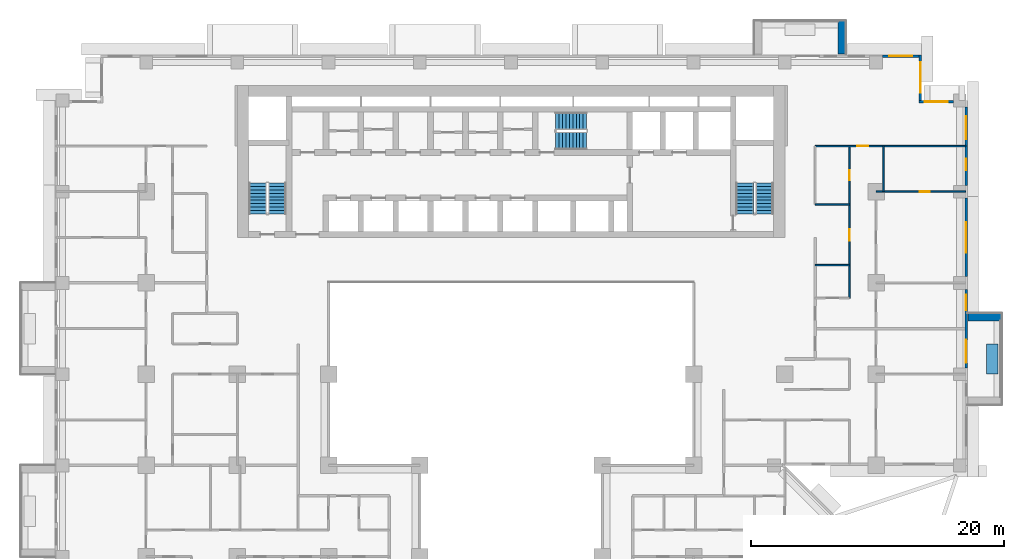
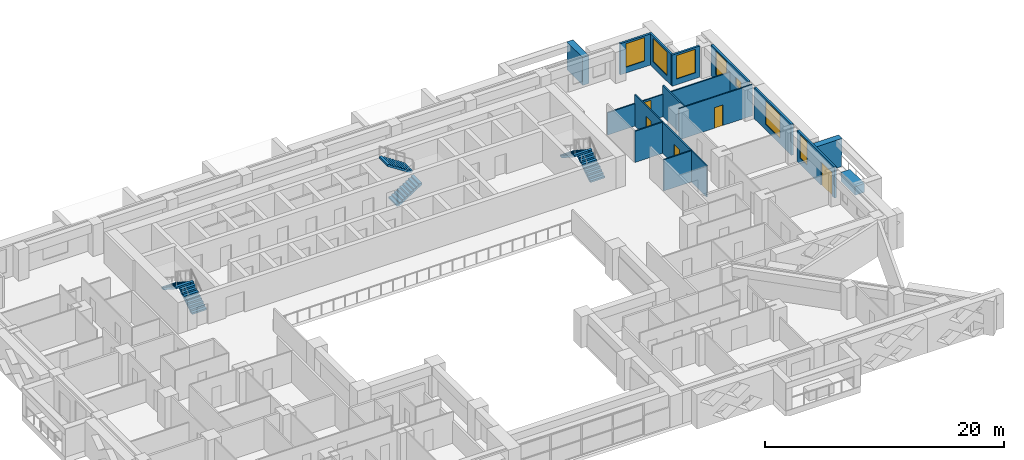
# One storey, part 12 of 16: 15 walls, 7 windows, 6 stair flights, 5 doors, 12 openings, 3 elements without a shape of their own.
"""IFC4 building model written with IfcOpenShell, lengths in metres."""

from ifc_helpers import new_model, si_unit, direction, frame, frame_2d, origin, place, context, subcontext, project, spatial, polyline, rectangle, outline, extrude, material, layer, layer_set, type_object, element, fill, aggregate, save


model = new_model("IFC4")

# Units and contexts
model_context = context("Model", 3, precision=1e-05, world=origin(), true_north=direction((0.0, 1.0)))
body_context = subcontext(model_context, "Body", "Model", "MODEL_VIEW")
ifc_project = project(units=[si_unit("LENGTHUNIT", "METRE"), si_unit("AREAUNIT", "SQUARE_METRE"), si_unit("VOLUMEUNIT", "CUBIC_METRE"), si_unit("PLANEANGLEUNIT", "RADIAN"), si_unit("MASSUNIT", "GRAM", prefix="KILO")], contexts=[model_context])

# Site, building, storey
site_placement = place(None, origin())
site = spatial("IfcSite", under=ifc_project, at=site_placement, CompositionType="ELEMENT")
building_placement = place(site_placement, origin())
building = spatial("IfcBuilding", under=site, at=building_placement, Name="Saffron Iwan Residences", CompositionType="ELEMENT")
storey_placement = place(building_placement, frame((0.0, 0.0, 90.0)))
storey = spatial("IfcBuildingStorey", under=building, at=storey_placement, Name="L23", CompositionType="ELEMENT", Elevation=90.0)

# Walls
ifc_material_1 = material(Name="Concrete C50/60 white painted", Category="concrete")
ifc_layer_1 = layer(ifc_material_1, 0.60009765625)
ifc_layer_set_1 = layer_set([ifc_layer_1], Name="Concrete C50/60 white painted")
wall_type_1 = type_object("IfcWallType", Name="BALCONY FIN 600", PredefinedType="SOLIDWALL", material=ifc_layer_set_1)
for number, where, z_axis, x_axis, name in (
    (1, (86.449951171875, 59.699951171875, 0.0), (0.0, 0.0, 1.0), (1.0, 0.0, 0.0), "Balcony fin L23 F2-0b"),
    (2, (76.5, 80.449951171875, 0.0), (0.0, 0.0, 1.0), (0.0, 1.0, 0.0), "Balcony fin L23 F5-0a"),
):
    element("IfcWall", number, at=place(storey_placement, frame(where, z_axis=z_axis, x_axis=x_axis)), inside=storey, type_object=wall_type_1, Name=name, PredefinedType="SOLIDWALL", context=body_context, shape_type="SweptSolid", body=[
        extrude(rectangle(XDim=2.650146484375, YDim=0.60009765625, at=frame_2d((1.3251953125, 0.0))), origin(), (0.0, 0.0, 1.0), 2.85009765625),
    ])
ifc_material_2 = material(Name="Concrete C35/45 white painted", Category="concrete")
ifc_layer_2 = layer(ifc_material_2, 0.14990234375)
ifc_layer_set_2 = layer_set([ifc_layer_2], Name="Concrete C35/45 white painted")
wall_type_2 = type_object("IfcWallType", Name="BALCONY PLANTER", PredefinedType="SOLIDWALL", material=ifc_layer_set_2)
wall_1_placement = place(storey_placement, frame((88.375, 55.199951171875, 0.0), z_axis=(0.0, 0.0, 1.0), x_axis=(0.0, 1.0, 0.0)))
element("IfcWall", 3, at=wall_1_placement, inside=storey, type_object=wall_type_2, Name="PLANTER L23 F2-0", PredefinedType="SOLIDWALL", context=body_context, shape_type="SweptSolid", body=[
    extrude(rectangle(XDim=2.400146484375, YDim=0.89990234375, at=frame_2d((1.2001953125, 0.0))), origin(), (0.0, 0.0, 1.0), 0.89990234375),
])

# Wall, openings, door, window
ifc_material_3 = material(Name="Concrete C40/50", Category="concrete")
ifc_layer_3 = layer(ifc_material_3, 0.199951171875)
ifc_layer_set_3 = layer_set([ifc_layer_3], Name="Concrete C40/50")
wall_type_3 = type_object("IfcWallType", Name="EXTERNAL WALL 200", PredefinedType="SOLIDWALL", material=ifc_layer_set_3)
wall_2_placement = place(storey_placement, frame((86.300048828125, 55.699951171875, 0.0), z_axis=(0.0, 0.0, 1.0), x_axis=(0.0, 1.0, 0.0)))
wall_2 = element("IfcWall", 4, at=wall_2_placement, inside=storey, type_object=wall_type_3, Name="External wall L23 F2.1", PredefinedType="SOLIDWALL", context=body_context, shape_type="SweptSolid", body=[
    extrude(rectangle(XDim=6.199951171875, YDim=0.199951171875, at=frame_2d((3.10009765625, 0.0))), origin(), (0.0, 0.0, 1.0), 3.179931640625),
])
opening_1_placement = place(wall_2_placement, frame((0.39990234375, 0.0, 0.0)))
opening_1 = element("IfcOpeningElement", 5, at=opening_1_placement, cuts=wall_2, Name="Opening BD1", PredefinedType="OPENING", context=body_context, shape_type="SweptSolid", body=[
    extrude(rectangle(XDim=1.800048828125, YDim=2.39990234375, at=frame_2d((0.89990234375, 1.199951171875))), frame((0.0, 0.10986328125, 0.0), z_axis=(0.0, -1.0, 0.0), x_axis=(1.0, 0.0, 0.0)), (0.0, 0.0, 1.0), 0.219970703125),
])
opening_2_placement = place(wall_2_placement, frame((4.550048828125, 0.0, 0.60009765625)))
opening_2 = element("IfcOpeningElement", 6, at=opening_2_placement, cuts=wall_2, Name="Opening W3", PredefinedType="OPENING", context=body_context, shape_type="SweptSolid", body=[
    extrude(rectangle(XDim=1.199951171875, YDim=2.39990234375, at=frame_2d((0.60009765625, 1.199951171875))), frame((0.0, 0.10986328125, 0.0), z_axis=(0.0, -1.0, 0.0), x_axis=(1.0, 0.0, 0.0)), (0.0, 0.0, 1.0), 0.219970703125),
])
ifc_material_4 = material(Name="Clear glass, laminated double glazed", Category="glass")
door_type_1 = type_object("IfcDoorType", Name="BALCONY DOOR 1800 x 2400", OperationType="DOUBLE_DOOR_SLIDING", PredefinedType="DOOR", material=ifc_material_4)
door_1_placement = place(opening_1_placement, origin())
door_1 = element("IfcDoor", 7, at=door_1_placement, inside=storey, type_object=door_type_1, Name="Balcony door L23 F2.0", OperationType="DOUBLE_DOOR_SLIDING", OverallHeight=2.39990234375, OverallWidth=1.800048828125, PredefinedType="DOOR", context=body_context, shape_type="SweptSolid", body=[
    extrude(rectangle(XDim=1.800048828125, YDim=2.39990234375, at=frame_2d((0.89990234375, 1.199951171875))), frame((0.0, 0.02490234375, 0.0), z_axis=(0.0, -1.0, 0.0), x_axis=(1.0, 0.0, 0.0)), (0.0, 0.0, 1.0), 0.050048828125),
])
fill(opening_1, door_1)
window_type_1 = type_object("IfcWindowType", Name="WINDOW 1200 x 2400", PartitioningType="SINGLE_PANEL", PredefinedType="WINDOW", material=ifc_material_4)
window_1_placement = place(opening_2_placement, origin())
window_1 = element("IfcWindow", 8, at=window_1_placement, inside=storey, type_object=window_type_1, Name="Window L23 F2.1", OverallHeight=2.39990234375, OverallWidth=1.199951171875, PartitioningType="SINGLE_PANEL", PredefinedType="WINDOW", context=body_context, shape_type="SweptSolid", body=[
    extrude(rectangle(XDim=1.199951171875, YDim=2.39990234375, at=frame_2d((0.60009765625, 1.199951171875))), frame((0.0, 0.030029296875, 0.0), z_axis=(0.0, -1.0, 0.0), x_axis=(1.0, 0.0, 0.0)), (0.0, 0.0, 1.0), 0.06005859375),
])
fill(opening_2, window_1)

# Wall, opening, window
wall_3_placement = place(storey_placement, frame((86.300048828125, 62.89990234375, 0.0), z_axis=(0.0, 0.0, 1.0), x_axis=(0.0, 1.0, 0.0)))
wall_3 = element("IfcWall", 9, at=wall_3_placement, inside=storey, type_object=wall_type_3, Name="External wall L23 F2.2", PredefinedType="SOLIDWALL", context=body_context, shape_type="SweptSolid", body=[
    extrude(rectangle(XDim=6.2001953125, YDim=0.199951171875, at=frame_2d((3.10009765625, 0.0))), origin(), (0.0, 0.0, 1.0), 3.179931640625),
])
opening_3_placement = place(wall_3_placement, frame((1.89990234375, 0.0, 0.60009765625)))
opening_3 = element("IfcOpeningElement", 10, at=opening_3_placement, cuts=wall_3, Name="Opening W1", PredefinedType="OPENING", context=body_context, shape_type="SweptSolid", body=[
    extrude(rectangle(XDim=2.39990234375, YDim=2.39990234375, at=frame_2d((1.199951171875, 1.199951171875))), frame((0.0, 0.10986328125, 0.0), z_axis=(0.0, -1.0, 0.0), x_axis=(1.0, 0.0, 0.0)), (0.0, 0.0, 1.0), 0.219970703125),
])
window_type_2 = type_object("IfcWindowType", Name="WINDOW 2400 x 2400", PartitioningType="DOUBLE_PANEL_VERTICAL", PredefinedType="WINDOW", material=ifc_material_4)
window_2_placement = place(opening_3_placement, origin())
window_2 = element("IfcWindow", 11, at=window_2_placement, inside=storey, type_object=window_type_2, Name="Window L23 F2.0", OverallHeight=2.39990234375, OverallWidth=2.39990234375, PartitioningType="DOUBLE_PANEL_VERTICAL", PredefinedType="WINDOW", context=body_context, shape_type="SweptSolid", body=[
    extrude(rectangle(XDim=2.39990234375, YDim=2.39990234375, at=frame_2d((1.199951171875, 1.199951171875))), frame((0.0, 0.030029296875, 0.0), z_axis=(0.0, -1.0, 0.0), x_axis=(1.0, 0.0, 0.0)), (0.0, 0.0, 1.0), 0.06005859375),
])
fill(opening_3, window_2)

# Wall, openings, windows
wall_4_placement = place(storey_placement, frame((86.300048828125, 70.10009765625, 0.0), z_axis=(0.0, 0.0, 1.0), x_axis=(0.0, 1.0, 0.0)))
wall_4 = element("IfcWall", 12, at=wall_4_placement, inside=storey, type_object=wall_type_3, Name="External wall L23 F2.3", PredefinedType="SOLIDWALL", context=body_context, shape_type="SweptSolid", body=[
    extrude(rectangle(XDim=6.199951171875, YDim=0.199951171875, at=frame_2d((3.10009765625, 0.0))), origin(), (0.0, 0.0, 1.0), 3.179931640625),
])
opening_4_placement = place(wall_4_placement, frame((1.199951171875, 0.0, 1.5)))
opening_4 = element("IfcOpeningElement", 13, at=opening_4_placement, cuts=wall_4, Name="Opening W6", PredefinedType="OPENING", context=body_context, shape_type="SweptSolid", body=[
    extrude(rectangle(XDim=0.89990234375, YDim=0.89990234375, at=frame_2d((0.449951171875, 0.449951171875))), frame((0.0, 0.10986328125, 0.0), z_axis=(0.0, -1.0, 0.0), x_axis=(1.0, 0.0, 0.0)), (0.0, 0.0, 1.0), 0.219970703125),
])
opening_5_placement = place(wall_4_placement, frame((3.64990234375, 0.0, 0.60009765625)))
opening_5 = element("IfcOpeningElement", 14, at=opening_5_placement, cuts=wall_4, Name="Opening W8", PredefinedType="OPENING", context=body_context, shape_type="SweptSolid", body=[
    extrude(rectangle(XDim=1.800048828125, YDim=2.39990234375, at=frame_2d((0.89990234375, 1.199951171875))), frame((0.0, 0.10986328125, 0.0), z_axis=(0.0, -1.0, 0.0), x_axis=(1.0, 0.0, 0.0)), (0.0, 0.0, 1.0), 0.219970703125),
])
window_type_3 = type_object("IfcWindowType", Name="WINDOW 1800 x 2400", PartitioningType="DOUBLE_PANEL_VERTICAL", PredefinedType="WINDOW", material=ifc_material_4)
window_3_placement = place(opening_5_placement, origin())
window_3 = element("IfcWindow", 15, at=window_3_placement, inside=storey, type_object=window_type_3, Name="Window L23 F2.1", OverallHeight=2.39990234375, OverallWidth=1.800048828125, PartitioningType="DOUBLE_PANEL_VERTICAL", PredefinedType="WINDOW", context=body_context, shape_type="SweptSolid", body=[
    extrude(rectangle(XDim=1.800048828125, YDim=2.39990234375, at=frame_2d((0.89990234375, 1.199951171875))), frame((0.0, 0.030029296875, 0.0), z_axis=(0.0, -1.0, 0.0), x_axis=(1.0, 0.0, 0.0)), (0.0, 0.0, 1.0), 0.06005859375),
])
fill(opening_5, window_3)
window_type_4 = type_object("IfcWindowType", Name="WINDOW 900 x 900 BATH", PartitioningType="SINGLE_PANEL", PredefinedType="WINDOW", material=ifc_material_4)
window_4_placement = place(opening_4_placement, origin())
window_4 = element("IfcWindow", 16, at=window_4_placement, inside=storey, type_object=window_type_4, Name="Window L23 F2.0", OverallHeight=0.89990234375, OverallWidth=0.89990234375, PartitioningType="SINGLE_PANEL", PredefinedType="WINDOW", context=body_context, shape_type="SweptSolid", body=[
    extrude(rectangle(XDim=0.89990234375, YDim=0.89990234375, at=frame_2d((0.449951171875, 0.449951171875))), frame((0.0, 0.030029296875, 0.0), z_axis=(0.0, -1.0, 0.0), x_axis=(1.0, 0.0, 0.0)), (0.0, 0.0, 1.0), 0.06005859375),
])
fill(opening_4, window_4)

# Wall, opening, window
wall_5_placement = place(storey_placement, frame((85.300048828125, 76.699951171875, 0.0), z_axis=(0.0, 0.0, 1.0), x_axis=(-1.0, 0.0, 0.0)))
wall_5 = element("IfcWall", 17, at=wall_5_placement, inside=storey, type_object=wall_type_3, Name="External wall L23 F3.0", PredefinedType="SOLIDWALL", context=body_context, shape_type="SweptSolid", body=[
    extrude(rectangle(XDim=2.699951171875, YDim=0.199951171875, at=frame_2d((1.35009765625, 0.0))), origin(), (0.0, 0.0, 1.0), 3.179931640625),
])
opening_6_placement = place(wall_5_placement, frame((0.449951171875, 0.0, 0.60009765625)))
opening_6 = element("IfcOpeningElement", 18, at=opening_6_placement, cuts=wall_5, Name="Opening W8", PredefinedType="OPENING", context=body_context, shape_type="SweptSolid", body=[
    extrude(rectangle(XDim=1.800048828125, YDim=2.39990234375, at=frame_2d((0.89990234375, 1.199951171875))), frame((0.0, 0.10986328125, 0.0), z_axis=(0.0, -1.0, 0.0), x_axis=(1.0, 0.0, 0.0)), (0.0, 0.0, 1.0), 0.219970703125),
])
window_5_placement = place(opening_6_placement, origin())
window_5 = element("IfcWindow", 19, at=window_5_placement, inside=storey, type_object=window_type_3, Name="Window L23 F3.0", OverallHeight=2.39990234375, OverallWidth=1.800048828125, PartitioningType="DOUBLE_PANEL_VERTICAL", PredefinedType="WINDOW", context=body_context, shape_type="SweptSolid", body=[
    extrude(rectangle(XDim=1.800048828125, YDim=2.39990234375, at=frame_2d((0.89990234375, 1.199951171875))), frame((0.0, 0.030029296875, 0.0), z_axis=(0.0, -1.0, 0.0), x_axis=(1.0, 0.0, 0.0)), (0.0, 0.0, 1.0), 0.06005859375),
])
fill(opening_6, window_5)

wall_6_placement = place(storey_placement, frame((82.699951171875, 76.800048828125, 0.0), z_axis=(0.0, 0.0, 1.0), x_axis=(0.0, 1.0, 0.0)))
wall_6 = element("IfcWall", 20, at=wall_6_placement, inside=storey, type_object=wall_type_3, Name="External wall L23 F4.0", PredefinedType="SOLIDWALL", context=body_context, shape_type="SweptSolid", body=[
    extrude(rectangle(XDim=3.599853515625, YDim=0.199951171875, at=frame_2d((1.7998046875, 0.0))), origin(), (0.0, 0.0, 1.0), 3.179931640625),
])
opening_7_placement = place(wall_6_placement, frame((0.60009765625, 0.0, 0.60009765625)))
opening_7 = element("IfcOpeningElement", 21, at=opening_7_placement, cuts=wall_6, Name="Opening W1", PredefinedType="OPENING", context=body_context, shape_type="SweptSolid", body=[
    extrude(rectangle(XDim=2.39990234375, YDim=2.39990234375, at=frame_2d((1.199951171875, 1.199951171875))), frame((0.0, 0.10986328125, 0.0), z_axis=(0.0, -1.0, 0.0), x_axis=(1.0, 0.0, 0.0)), (0.0, 0.0, 1.0), 0.219970703125),
])
window_6_placement = place(opening_7_placement, origin())
window_6 = element("IfcWindow", 22, at=window_6_placement, inside=storey, type_object=window_type_2, Name="Window L23 F4.0", OverallHeight=2.39990234375, OverallWidth=2.39990234375, PartitioningType="DOUBLE_PANEL_VERTICAL", PredefinedType="WINDOW", context=body_context, shape_type="SweptSolid", body=[
    extrude(rectangle(XDim=2.39990234375, YDim=2.39990234375, at=frame_2d((1.199951171875, 1.199951171875))), frame((0.0, 0.030029296875, 0.0), z_axis=(0.0, -1.0, 0.0), x_axis=(1.0, 0.0, 0.0)), (0.0, 0.0, 1.0), 0.06005859375),
])
fill(opening_7, window_6)

wall_7_placement = place(storey_placement, frame((82.60009765625, 80.300048828125, 0.0), z_axis=(0.0, 0.0, 1.0), x_axis=(-1.0, 0.0, 0.0)))
wall_7 = element("IfcWall", 23, at=wall_7_placement, inside=storey, type_object=wall_type_3, Name="External wall L23 F5.0", PredefinedType="SOLIDWALL", context=body_context, shape_type="SweptSolid", body=[
    extrude(rectangle(XDim=2.900146484375, YDim=0.199951171875, at=frame_2d((1.4501953125, 0.0))), origin(), (0.0, 0.0, 1.0), 3.179931640625),
])
opening_8_placement = place(wall_7_placement, frame((0.550048828125, 0.0, 0.60009765625)))
opening_8 = element("IfcOpeningElement", 24, at=opening_8_placement, cuts=wall_7, Name="Opening W8", PredefinedType="OPENING", context=body_context, shape_type="SweptSolid", body=[
    extrude(rectangle(XDim=1.800048828125, YDim=2.39990234375, at=frame_2d((0.89990234375, 1.199951171875))), frame((0.0, 0.10986328125, 0.0), z_axis=(0.0, -1.0, 0.0), x_axis=(1.0, 0.0, 0.0)), (0.0, 0.0, 1.0), 0.219970703125),
])
window_7_placement = place(opening_8_placement, origin())
window_7 = element("IfcWindow", 25, at=window_7_placement, inside=storey, type_object=window_type_3, Name="Window L23 F5.0", OverallHeight=2.39990234375, OverallWidth=1.800048828125, PartitioningType="DOUBLE_PANEL_VERTICAL", PredefinedType="WINDOW", context=body_context, shape_type="SweptSolid", body=[
    extrude(rectangle(XDim=1.800048828125, YDim=2.39990234375, at=frame_2d((0.89990234375, 1.199951171875))), frame((0.0, 0.030029296875, 0.0), z_axis=(0.0, -1.0, 0.0), x_axis=(1.0, 0.0, 0.0)), (0.0, 0.0, 1.0), 0.06005859375),
])
fill(opening_8, window_7)

# Walls
ifc_material_5 = material(Name="Gypsum board partition")
ifc_layer_4 = layer(ifc_material_5, 0.1201171875)
ifc_layer_set_4 = layer_set([ifc_layer_4], Name="Gypsum board partition")
wall_type_4 = type_object("IfcWallType", Name="Flat partition 120", PredefinedType="PARTITIONING", material=ifc_layer_set_4)
for number, where, z_axis, x_axis, name in (
    (26, (74.39990234375, 63.800048828125, 0.0), (0.0, 0.0, 1.0), (1.0, 0.0, 0.0), "W-L23-PART-h63.8-74.4"),
    (27, (74.39990234375, 68.60009765625, 0.0), (0.0, 0.0, 1.0), (1.0, 0.0, 0.0), "W-L23-PART-h68.6-74.4"),
):
    element("IfcWall", number, at=place(storey_placement, frame(where, z_axis=z_axis, x_axis=x_axis)), inside=storey, type_object=wall_type_4, Name=name, PredefinedType="PARTITIONING", context=body_context, shape_type="SweptSolid", body=[
        extrude(rectangle(XDim=2.7001953125, YDim=0.1201171875, at=frame_2d((1.35009765625, 0.0))), origin(), (0.0, 0.0, 1.0), 3.179931640625),
    ])

# Wall, opening, door
wall_8_placement = place(storey_placement, frame((79.199951171875, 69.60009765625, 0.0), z_axis=(0.0, 0.0, 1.0), x_axis=(1.0, 0.0, 0.0)))
wall_8 = element("IfcWall", 28, at=wall_8_placement, inside=storey, type_object=wall_type_4, Name="W-L23-PART-h69.6-79.2", PredefinedType="PARTITIONING", context=body_context, shape_type="SweptSolid", body=[
    extrude(rectangle(XDim=7.074951171875, YDim=0.1201171875, at=frame_2d((3.53759765625, 0.0))), origin(), (0.0, 0.0, 1.0), 3.179931640625),
])
opening_9_placement = place(wall_8_placement, frame((3.4375, 0.0, 0.0)))
opening_9 = element("IfcOpeningElement", 29, at=opening_9_placement, cuts=wall_8, Name="Opening FD3", PredefinedType="OPENING", context=body_context, shape_type="SweptSolid", body=[
    extrude(rectangle(XDim=0.800048828125, YDim=2.10009765625, at=frame_2d((0.39990234375, 1.050048828125))), frame((0.0, 0.070068359375, 0.0), z_axis=(0.0, -1.0, 0.0), x_axis=(1.0, 0.0, 0.0)), (0.0, 0.0, 1.0), 0.14013671875),
])
ifc_material_6 = material(Name="Timber door", Category="wood")
door_type_2 = type_object("IfcDoorType", Name="Bathroom door 800", OperationType="NOTDEFINED", PredefinedType="DOOR", material=ifc_material_6)
door_2_placement = place(opening_9_placement, origin())
door_2 = element("IfcDoor", 30, at=door_2_placement, inside=storey, type_object=door_type_2, Name="Door L23-037", OperationType="SINGLE_SWING_LEFT", OverallHeight=2.10009765625, OverallWidth=0.800048828125, PredefinedType="DOOR", context=body_context, shape_type="SweptSolid", body=[
    extrude(rectangle(XDim=0.800048828125, YDim=2.10009765625, at=frame_2d((0.39990234375, 1.050048828125))), frame((0.0, 0.02490234375, 0.0), z_axis=(0.0, -1.0, 0.0), x_axis=(1.0, 0.0, 0.0)), (0.0, 0.0, 1.0), 0.050048828125),
])
fill(opening_9, door_2)

wall_9_placement = place(storey_placement, frame((74.39990234375, 73.199951171875, 0.0), z_axis=(0.0, 0.0, 1.0), x_axis=(1.0, 0.0, 0.0)))
wall_9 = element("IfcWall", 31, at=wall_9_placement, inside=storey, type_object=wall_type_4, Name="W-L23-PART-h73.2-74.4", PredefinedType="PARTITIONING", context=body_context, shape_type="SweptSolid", body=[
    extrude(rectangle(XDim=11.875, YDim=0.1201171875, at=frame_2d((5.9375, 0.0))), origin(), (0.0, 0.0, 1.0), 2.280029296875),
])
opening_10_placement = place(wall_9_placement, frame((3.300048828125, 0.0, 0.0)))
opening_10 = element("IfcOpeningElement", 32, at=opening_10_placement, cuts=wall_9, Name="Opening FD2", PredefinedType="OPENING", context=body_context, shape_type="SweptSolid", body=[
    extrude(rectangle(XDim=0.89990234375, YDim=2.10009765625, at=frame_2d((0.449951171875, 1.050048828125))), frame((0.0, 0.070068359375, 0.0), z_axis=(0.0, -1.0, 0.0), x_axis=(1.0, 0.0, 0.0)), (0.0, 0.0, 1.0), 0.14013671875),
])
door_type_3 = type_object("IfcDoorType", Name="Flat door 900", OperationType="NOTDEFINED", PredefinedType="DOOR", material=ifc_material_6)
door_3_placement = place(opening_10_placement, origin())
door_3 = element("IfcDoor", 33, at=door_3_placement, inside=storey, type_object=door_type_3, Name="Door L23-038", OperationType="SINGLE_SWING_RIGHT", OverallHeight=2.10009765625, OverallWidth=0.89990234375, PredefinedType="DOOR", context=body_context, shape_type="SweptSolid", body=[
    extrude(rectangle(XDim=0.89990234375, YDim=2.10009765625, at=frame_2d((0.449951171875, 1.050048828125))), frame((0.0, 0.02490234375, 0.0), z_axis=(0.0, -1.0, 0.0), x_axis=(1.0, 0.0, 0.0)), (0.0, 0.0, 1.0), 0.050048828125),
])
fill(opening_10, door_3)

# Wall, openings, doors
wall_10_placement = place(storey_placement, frame((77.10009765625, 61.199951171875, 0.0), z_axis=(0.0, 0.0, 1.0), x_axis=(0.0, 1.0, 0.0)))
wall_10 = element("IfcWall", 34, at=wall_10_placement, inside=storey, type_object=wall_type_4, Name="W-L23-PART-v77.1-61.2", PredefinedType="PARTITIONING", context=body_context, shape_type="SweptSolid", body=[
    extrude(rectangle(XDim=12.0, YDim=0.1201171875, at=frame_2d((6.0, 0.0))), origin(), (0.0, 0.0, 1.0), 3.179931640625),
])
opening_11_placement = place(wall_10_placement, frame((4.550048828125, 0.0, 0.0)))
opening_11 = element("IfcOpeningElement", 35, at=opening_11_placement, cuts=wall_10, Name="Opening FD2", PredefinedType="OPENING", context=body_context, shape_type="SweptSolid", body=[
    extrude(rectangle(XDim=0.89990234375, YDim=2.10009765625, at=frame_2d((0.449951171875, 1.050048828125))), frame((0.0, 0.070068359375, 0.0), z_axis=(0.0, -1.0, 0.0), x_axis=(1.0, 0.0, 0.0)), (0.0, 0.0, 1.0), 0.14013671875),
])
opening_12_placement = place(wall_10_placement, frame((9.300048828125, 0.0, 0.0)))
opening_12 = element("IfcOpeningElement", 36, at=opening_12_placement, cuts=wall_10, Name="Opening FD3", PredefinedType="OPENING", context=body_context, shape_type="SweptSolid", body=[
    extrude(rectangle(XDim=0.800048828125, YDim=2.10009765625, at=frame_2d((0.39990234375, 1.050048828125))), frame((0.0, 0.070068359375, 0.0), z_axis=(0.0, -1.0, 0.0), x_axis=(1.0, 0.0, 0.0)), (0.0, 0.0, 1.0), 0.14013671875),
])
door_4_placement = place(opening_12_placement, origin())
door_4 = element("IfcDoor", 37, at=door_4_placement, inside=storey, type_object=door_type_2, Name="Door L23-041", OperationType="SINGLE_SWING_RIGHT", OverallHeight=2.10009765625, OverallWidth=0.800048828125, PredefinedType="DOOR", context=body_context, shape_type="SweptSolid", body=[
    extrude(rectangle(XDim=0.800048828125, YDim=2.10009765625, at=frame_2d((0.39990234375, 1.050048828125))), frame((0.0, 0.02490234375, 0.0), z_axis=(0.0, -1.0, 0.0), x_axis=(1.0, 0.0, 0.0)), (0.0, 0.0, 1.0), 0.050048828125),
])
fill(opening_12, door_4)
door_5_placement = place(opening_11_placement, origin())
door_5 = element("IfcDoor", 38, at=door_5_placement, inside=storey, type_object=door_type_3, Name="Door L23-040", OperationType="SINGLE_SWING_LEFT", OverallHeight=2.10009765625, OverallWidth=0.89990234375, PredefinedType="DOOR", context=body_context, shape_type="SweptSolid", body=[
    extrude(rectangle(XDim=0.89990234375, YDim=2.10009765625, at=frame_2d((0.449951171875, 1.050048828125))), frame((0.0, 0.02490234375, 0.0), z_axis=(0.0, -1.0, 0.0), x_axis=(1.0, 0.0, 0.0)), (0.0, 0.0, 1.0), 0.050048828125),
])
fill(opening_11, door_5)

# Wall
wall_11_placement = place(storey_placement, frame((79.800048828125, 69.60009765625, 0.0), z_axis=(0.0, 0.0, 1.0), x_axis=(0.0, 1.0, 0.0)))
element("IfcWall", 39, at=wall_11_placement, inside=storey, type_object=wall_type_4, Name="W-L23-PART-v79.8-69.6", PredefinedType="PARTITIONING", context=body_context, shape_type="SweptSolid", body=[
    extrude(rectangle(XDim=3.599853515625, YDim=0.1201171875, at=frame_2d((1.7998046875, 0.0))), origin(), (0.0, 0.0, 1.0), 3.179931640625),
])

# Stair, stair flights
ifc_material_7 = material(Name="Concrete C50/60", Category="concrete")
stair_type = type_object("IfcStairType", Name="Stair ST-CORE", PredefinedType="HALF_TURN_STAIR", material=ifc_material_7)
stair_1_placement = place(storey_placement, origin())
stair_1 = element("IfcStair", 40, at=stair_1_placement, inside=storey, type_object=stair_type, Name="L23 Exit Stair ST-W", PredefinedType="HALF_TURN_STAIR")
ifc_layer_5 = layer(ifc_material_7, 0.14990234375)
ifc_layer_set_5 = layer_set([ifc_layer_5], Name="Concrete C50/60")
stair_flight_type = type_object("IfcStairFlightType", Name="Stair flight SFL-RC", PredefinedType="STRAIGHT", material=ifc_layer_set_5)
stair_flight_1_placement = place(storey_placement, frame((31.949951171875, 67.85009765625, 0.0), z_axis=(0.0, 0.0, 1.0), x_axis=(0.0, 1.0, 0.0)))
stair_flight_1 = element("IfcStairFlight", 41, at=stair_flight_1_placement, type_object=stair_flight_type, Name="ST-W flight 1", NumberOfRisers=10, NumberOfTreads=9, PredefinedType="STRAIGHT", RiserHeight=0.175, TreadLength=0.27, context=body_context, shape_type="SweptSolid", body=[
    extrude(outline(polyline([(0.0, 0.0), (0.0, 0.175048828125), (0.27001953125, 0.175048828125), (0.27001953125, 0.35009765625), (0.5400390625, 0.35009765625), (0.5400390625, 0.52490234375), (0.81005859375, 0.52490234375), (0.81005859375, 0.699951171875), (1.080078125, 0.699951171875), (1.080078125, 0.875), (1.35009765625, 0.875), (1.35009765625, 1.050048828125), (1.6201171875, 1.050048828125), (1.6201171875, 1.22509765625), (1.889892578125, 1.22509765625), (1.889892578125, 1.39990234375), (2.159912109375, 1.39990234375), (2.159912109375, 1.574951171875), (2.429931640625, 1.574951171875), (2.429931640625, 1.75), (2.429931640625, 1.396484375), (0.275634765625, 0.0), (0.0, 0.0)])), frame((0.0, 0.699951171875, 0.0), z_axis=(0.0, -1.0, 0.0), x_axis=(1.0, 0.0, 0.0)), (0.0, 0.0, 1.0), 1.39990234375),
])
stair_flight_2_placement = place(storey_placement, frame((30.39990234375, 70.280029296875, 1.75), z_axis=(0.0, 0.0, 1.0), x_axis=(0.0, -1.0, 0.0)))
stair_flight_2 = element("IfcStairFlight", 42, at=stair_flight_2_placement, type_object=stair_flight_type, Name="ST-W flight 2", NumberOfRisers=10, NumberOfTreads=9, PredefinedType="STRAIGHT", RiserHeight=0.175, TreadLength=0.27, context=body_context, shape_type="SweptSolid", body=[
    extrude(outline(polyline([(0.0, 0.0), (0.0, 0.175048828125), (0.27001953125, 0.175048828125), (0.27001953125, 0.35009765625), (0.5400390625, 0.35009765625), (0.5400390625, 0.52490234375), (0.81005859375, 0.52490234375), (0.81005859375, 0.699951171875), (1.080078125, 0.699951171875), (1.080078125, 0.875), (1.35009765625, 0.875), (1.35009765625, 1.050048828125), (1.6201171875, 1.050048828125), (1.6201171875, 1.22509765625), (1.889892578125, 1.22509765625), (1.889892578125, 1.39990234375), (2.159912109375, 1.39990234375), (2.159912109375, 1.574951171875), (2.429931640625, 1.574951171875), (2.429931640625, 1.75), (2.429931640625, 1.396484375), (0.275634765625, 0.0), (0.0, 0.0)])), frame((0.0, 0.699951171875, 0.0), z_axis=(0.0, -1.0, 0.0), x_axis=(1.0, 0.0, 0.0)), (0.0, 0.0, 1.0), 1.39990234375),
])
aggregate(stair_1, [stair_flight_1, stair_flight_2])

stair_2_placement = place(storey_placement, origin())
stair_2 = element("IfcStair", 43, at=stair_2_placement, inside=storey, type_object=stair_type, Name="L23 Exit Stair ST-C", PredefinedType="HALF_TURN_STAIR")
stair_flight_3_placement = place(storey_placement, frame((53.925048828125, 73.625, 0.0), z_axis=(0.0, 0.0, 1.0), x_axis=(1.0, 0.0, 0.0)))
stair_flight_3 = element("IfcStairFlight", 44, at=stair_flight_3_placement, type_object=stair_flight_type, Name="ST-C flight 1", NumberOfRisers=10, NumberOfTreads=9, PredefinedType="STRAIGHT", RiserHeight=0.175, TreadLength=0.27, context=body_context, shape_type="SweptSolid", body=[
    extrude(outline(polyline([(0.0, 0.0), (0.0, 0.175048828125), (0.27001953125, 0.175048828125), (0.27001953125, 0.35009765625), (0.5400390625, 0.35009765625), (0.5400390625, 0.52490234375), (0.81005859375, 0.52490234375), (0.81005859375, 0.699951171875), (1.080078125, 0.699951171875), (1.080078125, 0.875), (1.35009765625, 0.875), (1.35009765625, 1.050048828125), (1.6201171875, 1.050048828125), (1.6201171875, 1.22509765625), (1.889892578125, 1.22509765625), (1.889892578125, 1.39990234375), (2.159912109375, 1.39990234375), (2.159912109375, 1.574951171875), (2.429931640625, 1.574951171875), (2.429931640625, 1.75), (2.429931640625, 1.396484375), (0.275634765625, 0.0), (0.0, 0.0)])), frame((0.0, 0.699951171875, 0.0), z_axis=(0.0, -1.0, 0.0), x_axis=(1.0, 0.0, 0.0)), (0.0, 0.0, 1.0), 1.39990234375),
])
stair_flight_4_placement = place(storey_placement, frame((56.35498046875, 75.175048828125, 1.75), z_axis=(0.0, 0.0, 1.0), x_axis=(-1.0, 0.0, 0.0)))
stair_flight_4 = element("IfcStairFlight", 45, at=stair_flight_4_placement, type_object=stair_flight_type, Name="ST-C flight 2", NumberOfRisers=10, NumberOfTreads=9, PredefinedType="STRAIGHT", RiserHeight=0.175, TreadLength=0.27, context=body_context, shape_type="SweptSolid", body=[
    extrude(outline(polyline([(0.0, 0.0), (0.0, 0.175048828125), (0.27001953125, 0.175048828125), (0.27001953125, 0.35009765625), (0.5400390625, 0.35009765625), (0.5400390625, 0.52490234375), (0.81005859375, 0.52490234375), (0.81005859375, 0.699951171875), (1.080078125, 0.699951171875), (1.080078125, 0.875), (1.35009765625, 0.875), (1.35009765625, 1.050048828125), (1.6201171875, 1.050048828125), (1.6201171875, 1.22509765625), (1.889892578125, 1.22509765625), (1.889892578125, 1.39990234375), (2.159912109375, 1.39990234375), (2.159912109375, 1.574951171875), (2.429931640625, 1.574951171875), (2.429931640625, 1.75), (2.429931640625, 1.396484375), (0.275634765625, 0.0), (0.0, 0.0)])), frame((0.0, 0.699951171875, 0.0), z_axis=(0.0, -1.0, 0.0), x_axis=(1.0, 0.0, 0.0)), (0.0, 0.0, 1.0), 1.39990234375),
])
aggregate(stair_2, [stair_flight_3, stair_flight_4])

stair_3_placement = place(storey_placement, origin())
stair_3 = element("IfcStair", 46, at=stair_3_placement, inside=storey, type_object=stair_type, Name="L23 Exit Stair ST-E", PredefinedType="HALF_TURN_STAIR")
stair_flight_5_placement = place(storey_placement, frame((70.39990234375, 67.85009765625, 0.0), z_axis=(0.0, 0.0, 1.0), x_axis=(0.0, 1.0, 0.0)))
stair_flight_5 = element("IfcStairFlight", 47, at=stair_flight_5_placement, type_object=stair_flight_type, Name="ST-E flight 1", NumberOfRisers=10, NumberOfTreads=9, PredefinedType="STRAIGHT", RiserHeight=0.175, TreadLength=0.27, context=body_context, shape_type="SweptSolid", body=[
    extrude(outline(polyline([(0.0, 0.0), (0.0, 0.175048828125), (0.27001953125, 0.175048828125), (0.27001953125, 0.35009765625), (0.5400390625, 0.35009765625), (0.5400390625, 0.52490234375), (0.81005859375, 0.52490234375), (0.81005859375, 0.699951171875), (1.080078125, 0.699951171875), (1.080078125, 0.875), (1.35009765625, 0.875), (1.35009765625, 1.050048828125), (1.6201171875, 1.050048828125), (1.6201171875, 1.22509765625), (1.889892578125, 1.22509765625), (1.889892578125, 1.39990234375), (2.159912109375, 1.39990234375), (2.159912109375, 1.574951171875), (2.429931640625, 1.574951171875), (2.429931640625, 1.75), (2.429931640625, 1.396484375), (0.275634765625, 0.0), (0.0, 0.0)])), frame((0.0, 0.699951171875, 0.0), z_axis=(0.0, -1.0, 0.0), x_axis=(1.0, 0.0, 0.0)), (0.0, 0.0, 1.0), 1.39990234375),
])
stair_flight_6_placement = place(storey_placement, frame((68.85009765625, 70.280029296875, 1.75), z_axis=(0.0, 0.0, 1.0), x_axis=(0.0, -1.0, 0.0)))
stair_flight_6 = element("IfcStairFlight", 48, at=stair_flight_6_placement, type_object=stair_flight_type, Name="ST-E flight 2", NumberOfRisers=10, NumberOfTreads=9, PredefinedType="STRAIGHT", RiserHeight=0.175, TreadLength=0.27, context=body_context, shape_type="SweptSolid", body=[
    extrude(outline(polyline([(0.0, 0.0), (0.0, 0.175048828125), (0.27001953125, 0.175048828125), (0.27001953125, 0.35009765625), (0.5400390625, 0.35009765625), (0.5400390625, 0.52490234375), (0.81005859375, 0.52490234375), (0.81005859375, 0.699951171875), (1.080078125, 0.699951171875), (1.080078125, 0.875), (1.35009765625, 0.875), (1.35009765625, 1.050048828125), (1.6201171875, 1.050048828125), (1.6201171875, 1.22509765625), (1.889892578125, 1.22509765625), (1.889892578125, 1.39990234375), (2.159912109375, 1.39990234375), (2.159912109375, 1.574951171875), (2.429931640625, 1.574951171875), (2.429931640625, 1.75), (2.429931640625, 1.396484375), (0.275634765625, 0.0), (0.0, 0.0)])), frame((0.0, 0.699951171875, 0.0), z_axis=(0.0, -1.0, 0.0), x_axis=(1.0, 0.0, 0.0)), (0.0, 0.0, 1.0), 1.39990234375),
])
aggregate(stair_3, [stair_flight_5, stair_flight_6])

save(model, "model.ifc")
